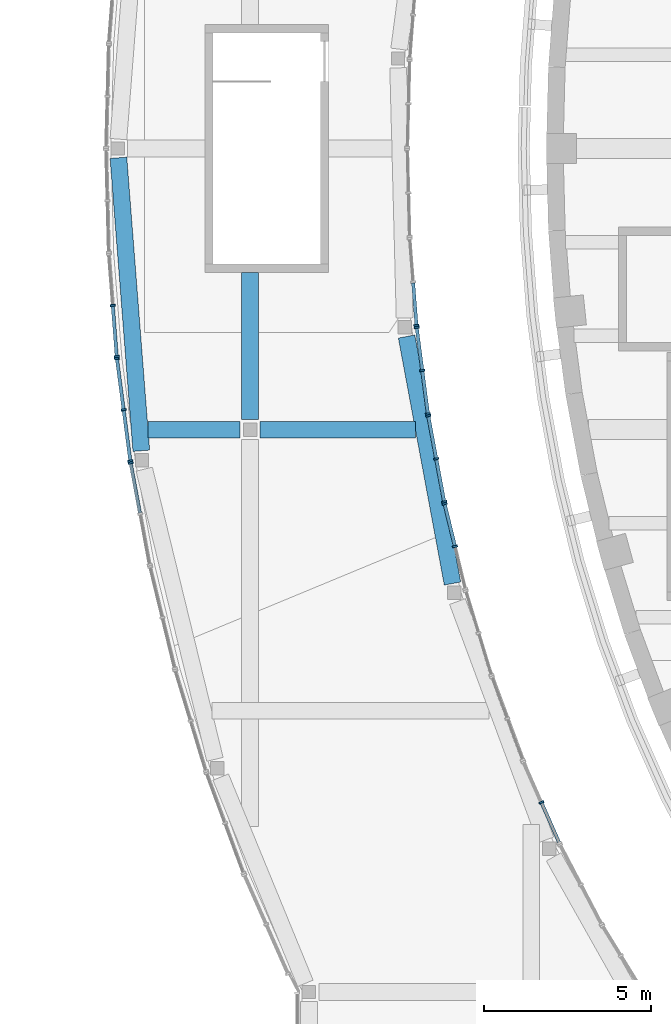
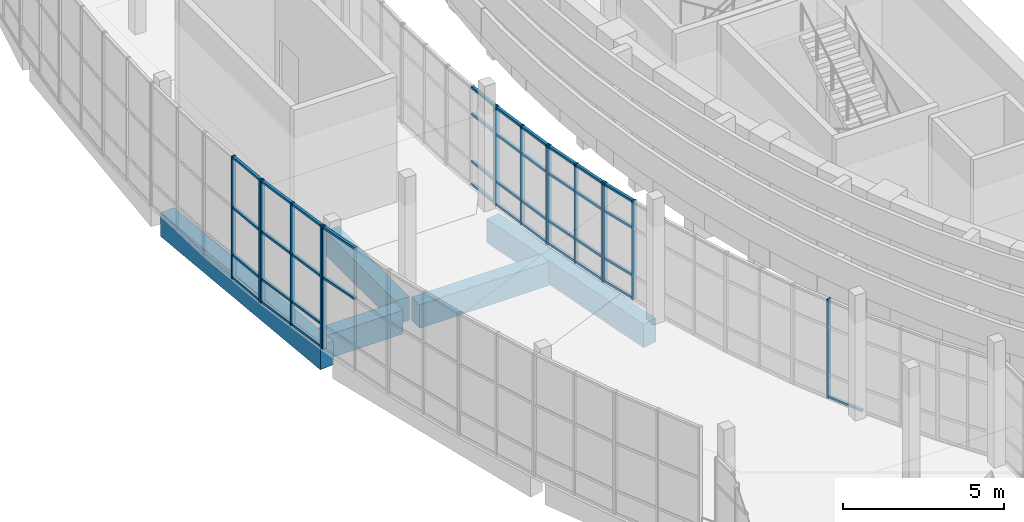
# One storey, part 11 of 103: 55 members, 5 beams, 8 elements without a shape of their own.
"""IFC4 building model written with IfcOpenShell, lengths in metres."""

import ifcopenshell
import ifcopenshell.guid

model = None  # the IFC model being written
_history = None  # IfcOwnerHistory: only IFC2X3 demands one
_inside = {}  # id of a spatial element -> (the spatial element, [elements in it])
_under = {}  # id of a project, library or spatial element -> (it, [spatial elements below it])
_declared = {}  # id of a project -> (the project, [libraries it declares])
_typed = {}  # id of a type object -> (the type object, [elements of that type])
_made_of = {}  # id of a material, layer set ... -> (it, [elements and type objects made of it])


def new_model(schema):
    """Start an empty IFC model of exactly this schema.

    Asked for "IFC4X3", IfcOpenShell would pick the latest addendum, in which some entities
    have other attributes; the version numbers below select the first issue.
    IFC2X3 requires an IfcOwnerHistory on every rooted entity: one is made here for all.
    """
    global model, _history
    if schema == "IFC4X3":
        model = ifcopenshell.file(schema_version=(4, 3, 0, 0))
    else:
        model = ifcopenshell.file(schema=schema)
    _inside.clear()
    _under.clear()
    _declared.clear()
    _typed.clear()
    _made_of.clear()
    _history = None
    if model.schema == "IFC2X3":
        org = make("IfcOrganization", Name="unknown")
        user = make(
            "IfcPersonAndOrganization",
            ThePerson=make("IfcPerson", FamilyName="unknown"),
            TheOrganization=org,
        )
        app = make(
            "IfcApplication",
            ApplicationDeveloper=org,
            Version="unknown",
            ApplicationFullName="unknown",
            ApplicationIdentifier="unknown",
        )
        _history = make(
            "IfcOwnerHistory",
            OwningUser=user,
            OwningApplication=app,
            ChangeAction="ADDED",
            CreationDate=0,
        )
    return model


def make(cls, **values):
    """One entity of the class cls with the attributes given. An attribute that is None is left unset."""
    return model.create_entity(
        cls, **{name: value for name, value in values.items() if value is not None}
    )


def rooted(cls, **values):
    """An entity with a GlobalId (a new one), such as an element, a storey or a relation."""
    return make(cls, GlobalId=ifcopenshell.guid.new(), OwnerHistory=_history, **values)


def si_unit(unit_type, name, prefix=None):
    """IfcSIUnit, for example si_unit("LENGTHUNIT", "METRE", prefix="MILLI")."""
    return make("IfcSIUnit", UnitType=unit_type, Prefix=prefix, Name=name)


def assignment(units):
    """IfcUnitAssignment: the units of a project."""
    return None if units is None else make("IfcUnitAssignment", Units=units)


def point(xyz):
    """IfcCartesianPoint."""
    return None if xyz is None else make("IfcCartesianPoint", Coordinates=xyz)


def direction(xyz):
    """IfcDirection."""
    return None if xyz is None else make("IfcDirection", DirectionRatios=xyz)


def frame(location, z_axis=None, x_axis=None):
    """IfcAxis2Placement3D, a coordinate frame: its origin and axes. An axis left out is left unset."""
    return make(
        "IfcAxis2Placement3D",
        Location=point(location),
        Axis=direction(z_axis),
        RefDirection=direction(x_axis),
    )


def frame_2d(location, x_axis=None):
    """IfcAxis2Placement2D, a coordinate frame in the plane: its origin and x axis."""
    return make(
        "IfcAxis2Placement2D", Location=point(location), RefDirection=direction(x_axis)
    )


def origin():
    """The frame at (0, 0, 0) with its axes left unset."""
    return frame((0.0, 0.0, 0.0))


def origin_2d():
    """The frame at (0, 0) in the plane with its x axis left unset."""
    return frame_2d((0.0, 0.0))


def place(relative_to, where):
    """IfcLocalPlacement: puts the frame where relative to a parent placement (None: the world)."""
    return make(
        "IfcLocalPlacement", PlacementRelTo=relative_to, RelativePlacement=where
    )


def context(
    kind, dimensions, precision=None, world=None, true_north=None, identifier=None
):
    """IfcGeometricRepresentationContext, for example the 3D "Model" context."""
    return make(
        "IfcGeometricRepresentationContext",
        ContextIdentifier=identifier,
        ContextType=kind,
        CoordinateSpaceDimension=dimensions,
        Precision=precision,
        WorldCoordinateSystem=world,
        TrueNorth=true_north,
    )


def subcontext(parent, identifier, kind, view, scale=None):
    """IfcGeometricRepresentationSubContext, for example "Body" below "Model"."""
    return make(
        "IfcGeometricRepresentationSubContext",
        ContextIdentifier=identifier,
        ContextType=kind,
        ParentContext=parent,
        TargetScale=scale,
        TargetView=view,
    )


def project(units=None, contexts=None):
    """IfcProject with its units and contexts."""
    return rooted(
        "IfcProject",
        Name="project",
        RepresentationContexts=contexts,
        UnitsInContext=assignment(units),
    )


def spatial(cls, under=None, at=None, **own):
    """A site, building, storey or space (cls), placed at a placement, below another one or the project."""
    s = rooted(cls, ObjectPlacement=at, **own)
    if under is not None:
        _under.setdefault(under.id(), (under, []))[1].append(s)
    return s


def profile(cls, at=None, kind="AREA", **sizes):
    """A parametric profile (cls). Its sizes go by their IFC names, for example OverallWidth=200.0."""
    return make(cls, ProfileType=kind, Position=at, **sizes)


def rectangle(**sizes):
    """IfcRectangleProfileDef."""
    return profile("IfcRectangleProfileDef", **sizes)


def extrude(swept, where, along, depth):
    """IfcExtrudedAreaSolid: the profile swept, set in the frame where, extruded along a direction by depth."""
    return make(
        "IfcExtrudedAreaSolid",
        SweptArea=swept,
        Position=where,
        ExtrudedDirection=direction(along),
        Depth=depth,
    )


def shape(context_of_items, identifier, shape_type, items):
    """IfcShapeRepresentation: the items that make up one representation, for example the "Body"."""
    return make(
        "IfcShapeRepresentation",
        ContextOfItems=context_of_items,
        RepresentationIdentifier=identifier,
        RepresentationType=shape_type,
        Items=items,
    )


def material(Name=None, Category=None):
    """IfcMaterial."""
    return make("IfcMaterial", Name=Name, Category=Category)


def layer(
    of_material, thickness, ventilated=None, Name=None, Category=None, Priority=None
):
    """IfcMaterialLayer: one layer of a wall or slab, of a material (None: an air gap)."""
    return make(
        "IfcMaterialLayer",
        Material=of_material,
        LayerThickness=thickness,
        IsVentilated=ventilated,
        Name=Name,
        Category=Category,
        Priority=Priority,
    )


def layer_set(layers, Name=None):
    """IfcMaterialLayerSet."""
    return make("IfcMaterialLayerSet", MaterialLayers=layers, LayerSetName=Name)


def material_profile(
    of_material, cross_section, Name=None, Category=None, Priority=None
):
    """IfcMaterialProfile: a cross section and its material."""
    return make(
        "IfcMaterialProfile",
        Name=Name,
        Material=of_material,
        Profile=cross_section,
        Priority=Priority,
        Category=Category,
    )


def profile_set(profiles, Name=None, composite=None):
    """IfcMaterialProfileSet."""
    return make(
        "IfcMaterialProfileSet",
        Name=Name,
        MaterialProfiles=profiles,
        CompositeProfile=composite,
    )


def made_of(thing, what):
    """Note that an element or type object is made of a material, layer set ...; save() writes the relation."""
    if what is not None:
        _made_of.setdefault(what.id(), (what, []))[1].append(thing)
    return thing


def type_object(cls, material=None, **own):
    """A type object (cls), such as IfcWallType, which elements share."""
    return made_of(rooted(cls, **own), material)


def element(
    cls,
    number,
    at=None,
    inside=None,
    cuts=None,
    type_object=None,
    material=None,
    context=None,
    identifier="Body",
    shape_type=None,
    held_by="IfcProductDefinitionShape",
    body=None,
    shapes=None,
    **own,
):
    """One element of the class cls, such as IfcWall. Its Tag is "e" and its number.

    at: its placement. inside: the storey or other place that contains it. cuts: it is an
    opening in that element (IfcRelVoidsElement). A single representation is given by context,
    identifier, shape_type and body (its items); several are given by shapes. held_by: the class
    of the entity that holds the representations. save() writes the other relations.
    """
    e = rooted(cls, Tag="e%d" % number, ObjectPlacement=at, **own)
    if body is not None:
        shapes = [shape(context, identifier, shape_type, body)]
    if shapes is not None:
        e.Representation = make(held_by, Representations=shapes)
    if inside is not None:
        _inside.setdefault(inside.id(), (inside, []))[1].append(e)
    if cuts is not None:
        rooted(
            "IfcRelVoidsElement", RelatingBuildingElement=cuts, RelatedOpeningElement=e
        )
    if type_object is not None:
        _typed.setdefault(type_object.id(), (type_object, []))[1].append(e)
    return made_of(e, material)


def aggregate(whole, parts):
    """IfcRelAggregates: a whole, such as a stair, and the parts it consists of."""
    return rooted("IfcRelAggregates", RelatingObject=whole, RelatedObjects=parts)


def save(model, path):
    """Write the relations noted so far, then the file.

    IfcRelAggregates (storeys below a building ...), IfcRelContainedInSpatialStructure (elements
    in a storey), IfcRelDefinesByType, IfcRelAssociatesMaterial and IfcRelDeclares: one each for
    every whole, place, type object, material and project.
    """
    for whole, parts in _under.values():
        aggregate(whole, parts)
    for where, things in _inside.values():
        rooted(
            "IfcRelContainedInSpatialStructure",
            RelatedElements=things,
            RelatingStructure=where,
        )
    for kind, things in _typed.values():
        rooted("IfcRelDefinesByType", RelatedObjects=things, RelatingType=kind)
    for what, things in _made_of.values():
        rooted("IfcRelAssociatesMaterial", RelatedObjects=things, RelatingMaterial=what)
    for by, libraries in _declared.values():
        rooted("IfcRelDeclares", RelatingContext=by, RelatedDefinitions=libraries)
    model.write(path)


model = new_model("IFC4")

# Units and contexts
model_context = context("Model", 3, precision=1e-05, world=origin(), true_north=direction((0.0, 1.0)))
body_context = subcontext(model_context, "Body", "Model", "MODEL_VIEW")
ifc_project = project(units=[si_unit("LENGTHUNIT", "METRE"), si_unit("AREAUNIT", "SQUARE_METRE"), si_unit("VOLUMEUNIT", "CUBIC_METRE"), si_unit("PLANEANGLEUNIT", "RADIAN"), si_unit("MASSUNIT", "GRAM", prefix="KILO")], contexts=[model_context])

# Site, building, storey
site_placement = place(None, origin())
site = spatial("IfcSite", under=ifc_project, at=site_placement, CompositionType="ELEMENT")
building_placement = place(site_placement, origin())
building = spatial("IfcBuilding", under=site, at=building_placement, Name="Larchfold Concert Hall", CompositionType="ELEMENT")
storey_placement = place(building_placement, frame((0.0, 0.0, 9.60009765625)))
storey = spatial("IfcBuildingStorey", under=building, at=storey_placement, Name="L02", CompositionType="ELEMENT", Elevation=9.60009765625)

# Curtain wall, member
ifc_material_1 = material(Name="Anodised graphite aluminium curtain wall", Category="aluminium")
ifc_layer = layer(ifc_material_1, 0.14990234375)
ifc_layer_set = layer_set([ifc_layer], Name="Anodised graphite aluminium curtain wall")
curtain_wall_type = type_object("IfcCurtainWallType", Name="Curtain wall WG", PredefinedType="NOTDEFINED", material=ifc_layer_set)
curtain_wall_1_placement = place(storey_placement, origin())
curtain_wall_1 = element("IfcCurtainWall", 1, at=curtain_wall_1_placement, inside=storey, type_object=curtain_wall_type, Name="Curtain wall CW0216", PredefinedType="NOTDEFINED")
ifc_material_2 = material(Name="Anodised graphite aluminium mullion", Category="aluminium")
ifc_material_profile_1 = material_profile(ifc_material_2, rectangle(XDim=0.14990234375, YDim=0.06005859375, at=origin_2d()))
ifc_profile_set_1 = profile_set([ifc_material_profile_1], Name="Anodised graphite aluminium mullion")
member_type_1 = type_object("IfcMemberType", Name="Aluminium mullion 60x150", PredefinedType="MULLION", material=ifc_profile_set_1)
member_1_placement = place(storey_placement, frame((17.70458984375, 65.0625, 0.0), z_axis=(0.0, 0.0, 1.0), x_axis=(-0.914743817973, -0.404034339481, 0.0)))
member_1 = element("IfcMember", 2, at=member_1_placement, type_object=member_type_1, Name="CW0216 mullion 2", PredefinedType="MULLION", context=body_context, shape_type="SweptSolid", body=[
    extrude(rectangle(XDim=0.14990234375, YDim=0.06005859375, at=origin_2d()), origin(), (0.0, 0.0, 1.0), 3.75),
])

# Curtain wall, members
curtain_wall_2_placement = place(storey_placement, origin())
curtain_wall_2 = element("IfcCurtainWall", 3, at=curtain_wall_2_placement, inside=storey, type_object=curtain_wall_type, Name="Curtain wall CW0219", PredefinedType="NOTDEFINED")
member_2_placement = place(storey_placement, frame((15.123046875, 72.71142578125, 0.0), z_axis=(0.0, 0.0, 1.0), x_axis=(-0.97177101692, -0.235926027973, 0.0)))
member_2 = element("IfcMember", 4, at=member_2_placement, type_object=member_type_1, Name="CW0219 mullion 2", PredefinedType="MULLION", context=body_context, shape_type="SweptSolid", body=[
    extrude(rectangle(XDim=0.14990234375, YDim=0.06005859375, at=origin_2d()), origin(), (0.0, 0.0, 1.0), 3.75),
])
member_3_placement = place(storey_placement, frame((14.81396484375, 73.984130859375, 0.0), z_axis=(0.0, 0.0, 1.0), x_axis=(-0.97177101692, -0.235926027973, 0.0)))
member_3 = element("IfcMember", 5, at=member_3_placement, type_object=member_type_1, Name="CW0219 mullion 3", PredefinedType="MULLION", context=body_context, shape_type="SweptSolid", body=[
    extrude(rectangle(XDim=0.14990234375, YDim=0.06005859375, at=origin_2d()), origin(), (0.0, 0.0, 1.0), 3.75),
])

curtain_wall_3_placement = place(storey_placement, origin())
curtain_wall_3 = element("IfcCurtainWall", 6, at=curtain_wall_3_placement, inside=storey, type_object=curtain_wall_type, Name="Curtain wall CW0220", PredefinedType="NOTDEFINED")
member_4_placement = place(storey_placement, frame((14.801513671875, 74.042724609375, 0.0), z_axis=(0.0, 0.0, 1.0), x_axis=(-0.983226211079, -0.182390289896, 0.0)))
member_4 = element("IfcMember", 7, at=member_4_placement, type_object=member_type_1, Name="CW0220 mullion 1", PredefinedType="MULLION", context=body_context, shape_type="SweptSolid", body=[
    extrude(rectangle(XDim=0.14990234375, YDim=0.06005859375, at=origin_2d()), origin(), (0.0, 0.0, 1.0), 3.75),
])
member_5_placement = place(storey_placement, frame((14.563232421875, 75.32666015625, 0.0), z_axis=(0.0, 0.0, 1.0), x_axis=(-0.983226211079, -0.182390289896, 0.0)))
member_5 = element("IfcMember", 8, at=member_5_placement, type_object=member_type_1, Name="CW0220 mullion 2", PredefinedType="MULLION", context=body_context, shape_type="SweptSolid", body=[
    extrude(rectangle(XDim=0.14990234375, YDim=0.06005859375, at=origin_2d()), origin(), (0.0, 0.0, 1.0), 3.75),
])
member_6_placement = place(storey_placement, frame((14.324951171875, 76.610595703125, 0.0), z_axis=(0.0, 0.0, 1.0), x_axis=(-0.983226211079, -0.182390289896, 0.0)))
member_6 = element("IfcMember", 9, at=member_6_placement, type_object=member_type_1, Name="CW0220 mullion 3", PredefinedType="MULLION", context=body_context, shape_type="SweptSolid", body=[
    extrude(rectangle(XDim=0.14990234375, YDim=0.06005859375, at=origin_2d()), origin(), (0.0, 0.0, 1.0), 3.75),
])

curtain_wall_4_placement = place(storey_placement, origin())
curtain_wall_4 = element("IfcCurtainWall", 10, at=curtain_wall_4_placement, inside=storey, type_object=curtain_wall_type, Name="Curtain wall CW0221", PredefinedType="NOTDEFINED")
member_7_placement = place(storey_placement, frame((14.315673828125, 76.669921875, 0.0), z_axis=(0.0, 0.0, 1.0), x_axis=(-0.991560542069, -0.129644480836, 0.0)))
member_7 = element("IfcMember", 11, at=member_7_placement, type_object=member_type_1, Name="CW0221 mullion 1", PredefinedType="MULLION", context=body_context, shape_type="SweptSolid", body=[
    extrude(rectangle(XDim=0.14990234375, YDim=0.06005859375, at=origin_2d()), origin(), (0.0, 0.0, 1.0), 3.75),
])
member_8_placement = place(storey_placement, frame((14.146728515625, 77.962158203125, 0.0), z_axis=(0.0, 0.0, 1.0), x_axis=(-0.991560542069, -0.129644480836, 0.0)))
member_8 = element("IfcMember", 12, at=member_8_placement, type_object=member_type_1, Name="CW0221 mullion 2", PredefinedType="MULLION", context=body_context, shape_type="SweptSolid", body=[
    extrude(rectangle(XDim=0.14990234375, YDim=0.06005859375, at=origin_2d()), origin(), (0.0, 0.0, 1.0), 3.75),
])
member_9_placement = place(storey_placement, frame((13.977783203125, 79.25439453125, 0.0), z_axis=(0.0, 0.0, 1.0), x_axis=(-0.991560542069, -0.129644480836, 0.0)))
member_9 = element("IfcMember", 13, at=member_9_placement, type_object=member_type_1, Name="CW0221 mullion 3", PredefinedType="MULLION", context=body_context, shape_type="SweptSolid", body=[
    extrude(rectangle(XDim=0.14990234375, YDim=0.06005859375, at=origin_2d()), origin(), (0.0, 0.0, 1.0), 3.75),
])

# Curtain wall, member
curtain_wall_5_placement = place(storey_placement, origin())
curtain_wall_5 = element("IfcCurtainWall", 14, at=curtain_wall_5_placement, inside=storey, type_object=curtain_wall_type, Name="Curtain wall CW0222", PredefinedType="NOTDEFINED")
member_10_placement = place(storey_placement, frame((13.971435546875, 79.314208984375, 0.0), z_axis=(0.0, 0.0, 1.0), x_axis=(-0.996988332974, -0.07755168544, 0.0)))
member_10 = element("IfcMember", 15, at=member_10_placement, type_object=member_type_1, Name="CW0222 mullion 1", PredefinedType="MULLION", context=body_context, shape_type="SweptSolid", body=[
    extrude(rectangle(XDim=0.14990234375, YDim=0.06005859375, at=origin_2d()), origin(), (0.0, 0.0, 1.0), 3.75),
])

# Curtain wall, members
curtain_wall_6_placement = place(storey_placement, origin())
curtain_wall_6 = element("IfcCurtainWall", 16, at=curtain_wall_6_placement, inside=storey, type_object=curtain_wall_type, Name="Curtain wall CW0275", PredefinedType="NOTDEFINED")
member_11_placement = place(storey_placement, frame((4.897705078125, 79.912841796875, 0.0), z_axis=(0.0, 0.0, 1.0), x_axis=(0.996995051833, 0.077465260739, 0.0)))
member_11 = element("IfcMember", 17, at=member_11_placement, type_object=member_type_1, Name="CW0275 mullion 2", PredefinedType="MULLION", context=body_context, shape_type="SweptSolid", body=[
    extrude(rectangle(XDim=0.14990234375, YDim=0.06005859375, at=origin_2d()), origin(), (0.0, 0.0, 1.0), 4.64990234375),
])
member_12_placement = place(storey_placement, frame((5.0166015625, 78.381103515625, 0.0), z_axis=(0.0, 0.0, 1.0), x_axis=(0.996995051833, 0.077465260739, 0.0)))
member_12 = element("IfcMember", 18, at=member_12_placement, type_object=member_type_1, Name="CW0275 mullion 3", PredefinedType="MULLION", context=body_context, shape_type="SweptSolid", body=[
    extrude(rectangle(XDim=0.14990234375, YDim=0.06005859375, at=origin_2d()), origin(), (0.0, 0.0, 1.0), 4.64990234375),
])

curtain_wall_7_placement = place(storey_placement, origin())
curtain_wall_7 = element("IfcCurtainWall", 19, at=curtain_wall_7_placement, inside=storey, type_object=curtain_wall_type, Name="Curtain wall CW0276", PredefinedType="NOTDEFINED")
member_13_placement = place(storey_placement, frame((5.02294921875, 78.3212890625, 0.0), z_axis=(0.0, 0.0, 1.0), x_axis=(0.991549218771, 0.129731055474, 0.0)))
member_13 = element("IfcMember", 20, at=member_13_placement, type_object=member_type_1, Name="CW0276 mullion 1", PredefinedType="MULLION", context=body_context, shape_type="SweptSolid", body=[
    extrude(rectangle(XDim=0.14990234375, YDim=0.06005859375, at=origin_2d()), origin(), (0.0, 0.0, 1.0), 4.64990234375),
])
member_14_placement = place(storey_placement, frame((5.222900390625, 76.79296875, 0.0), z_axis=(0.0, 0.0, 1.0), x_axis=(0.991549218771, 0.129731055474, 0.0)))
member_14 = element("IfcMember", 21, at=member_14_placement, type_object=member_type_1, Name="CW0276 mullion 2", PredefinedType="MULLION", context=body_context, shape_type="SweptSolid", body=[
    extrude(rectangle(XDim=0.14990234375, YDim=0.06005859375, at=origin_2d()), origin(), (0.0, 0.0, 1.0), 4.64990234375),
])
member_15_placement = place(storey_placement, frame((5.4228515625, 75.2646484375, 0.0), z_axis=(0.0, 0.0, 1.0), x_axis=(0.991549218771, 0.129731055474, 0.0)))
member_15 = element("IfcMember", 22, at=member_15_placement, type_object=member_type_1, Name="CW0276 mullion 3", PredefinedType="MULLION", context=body_context, shape_type="SweptSolid", body=[
    extrude(rectangle(XDim=0.14990234375, YDim=0.06005859375, at=origin_2d()), origin(), (0.0, 0.0, 1.0), 4.64990234375),
])

# Curtain wall, member
curtain_wall_8_placement = place(storey_placement, origin())
curtain_wall_8 = element("IfcCurtainWall", 23, at=curtain_wall_8_placement, inside=storey, type_object=curtain_wall_type, Name="Curtain wall CW0277", PredefinedType="NOTDEFINED")
member_16_placement = place(storey_placement, frame((5.43212890625, 75.205322265625, 0.0), z_axis=(0.0, 0.0, 1.0), x_axis=(0.983234300554, 0.182346675908, 0.0)))
member_16 = element("IfcMember", 24, at=member_16_placement, type_object=member_type_1, Name="CW0277 mullion 1", PredefinedType="MULLION", context=body_context, shape_type="SweptSolid", body=[
    extrude(rectangle(XDim=0.14990234375, YDim=0.06005859375, at=origin_2d()), origin(), (0.0, 0.0, 1.0), 4.64990234375),
])

# Member
ifc_material_3 = material(Name="Anodised graphite aluminium transom", Category="aluminium")
ifc_material_profile_2 = material_profile(ifc_material_3, rectangle(XDim=0.10009765625, YDim=0.080078125, at=origin_2d()))
ifc_profile_set_2 = profile_set([ifc_material_profile_2], Name="Anodised graphite aluminium transom")
member_type_2 = type_object("IfcMemberType", Name="Aluminium transom 80x100", PredefinedType="USERDEFINED", material=ifc_profile_set_2)
member_17_placement = place(storey_placement, frame((18.228759765625, 63.8759765625, 0.0400390625), z_axis=(-0.404010149688, 0.914754502011, 0.0), x_axis=(-0.914754502011, -0.404010149688, 0.0)))
member_17 = element("IfcMember", 25, at=member_17_placement, type_object=member_type_2, Name="CW0216 transom 1.1", ObjectType="TRANSOM", PredefinedType="USERDEFINED", context=body_context, shape_type="SweptSolid", body=[
    extrude(rectangle(XDim=0.10009765625, YDim=0.080078125, at=origin_2d()), origin(), (0.0, 0.0, 1.0), 1.26708984375),
])

aggregate(curtain_wall_1, [member_1, member_17])

member_18_placement = place(storey_placement, frame((15.115966796875, 72.740478515625, 0.0400390625), z_axis=(-0.236002599112, 0.971752423826, 0.0), x_axis=(-0.971752423826, -0.236002599112, 0.0)))
member_18 = element("IfcMember", 26, at=member_18_placement, type_object=member_type_2, Name="CW0219 transom 2.1", ObjectType="TRANSOM", PredefinedType="USERDEFINED", context=body_context, shape_type="SweptSolid", body=[
    extrude(rectangle(XDim=0.10009765625, YDim=0.080078125, at=origin_2d()), origin(), (0.0, 0.0, 1.0), 1.249755859375),
])

member_19_placement = place(storey_placement, frame((15.115966796875, 72.740478515625, 0.89990234375), z_axis=(-0.236002599112, 0.971752423826, 0.0), x_axis=(-0.971752423826, -0.236002599112, 0.0)))
member_19 = element("IfcMember", 27, at=member_19_placement, type_object=member_type_2, Name="CW0219 transom 2.2", ObjectType="TRANSOM", PredefinedType="USERDEFINED", context=body_context, shape_type="SweptSolid", body=[
    extrude(rectangle(XDim=0.10009765625, YDim=0.080078125, at=origin_2d()), origin(), (0.0, 0.0, 1.0), 1.249755859375),
])

member_20_placement = place(storey_placement, frame((15.115966796875, 72.740478515625, 2.699951171875), z_axis=(-0.236002599112, 0.971752423826, 0.0), x_axis=(-0.971752423826, -0.236002599112, 0.0)))
member_20 = element("IfcMember", 28, at=member_20_placement, type_object=member_type_2, Name="CW0219 transom 2.3", ObjectType="TRANSOM", PredefinedType="USERDEFINED", context=body_context, shape_type="SweptSolid", body=[
    extrude(rectangle(XDim=0.10009765625, YDim=0.080078125, at=origin_2d()), origin(), (0.0, 0.0, 1.0), 1.249755859375),
])

member_21_placement = place(storey_placement, frame((15.115966796875, 72.740478515625, 3.7099609375), z_axis=(-0.236002599112, 0.971752423826, 0.0), x_axis=(-0.971752423826, -0.236002599112, 0.0)))
member_21 = element("IfcMember", 29, at=member_21_placement, type_object=member_type_2, Name="CW0219 transom 2.4", ObjectType="TRANSOM", PredefinedType="USERDEFINED", context=body_context, shape_type="SweptSolid", body=[
    extrude(rectangle(XDim=0.10009765625, YDim=0.080078125, at=origin_2d()), origin(), (0.0, 0.0, 1.0), 1.249755859375),
])

aggregate(curtain_wall_2, [member_2, member_3, member_18, member_19, member_20, member_21])

member_22_placement = place(storey_placement, frame((14.7958984375, 74.072265625, 0.0400390625), z_axis=(-0.182454169497, 0.983214359147, 0.0), x_axis=(-0.983214359147, -0.182454169497, 0.0)))
member_22 = element("IfcMember", 30, at=member_22_placement, type_object=member_type_2, Name="CW0220 transom 1.1", ObjectType="TRANSOM", PredefinedType="USERDEFINED", context=body_context, shape_type="SweptSolid", body=[
    extrude(rectangle(XDim=0.10009765625, YDim=0.080078125, at=origin_2d()), origin(), (0.0, 0.0, 1.0), 1.245849609375),
])

member_23_placement = place(storey_placement, frame((14.7958984375, 74.072265625, 0.89990234375), z_axis=(-0.182454169497, 0.983214359147, 0.0), x_axis=(-0.983214359147, -0.182454169497, 0.0)))
member_23 = element("IfcMember", 31, at=member_23_placement, type_object=member_type_2, Name="CW0220 transom 1.2", ObjectType="TRANSOM", PredefinedType="USERDEFINED", context=body_context, shape_type="SweptSolid", body=[
    extrude(rectangle(XDim=0.10009765625, YDim=0.080078125, at=origin_2d()), origin(), (0.0, 0.0, 1.0), 1.245849609375),
])

member_24_placement = place(storey_placement, frame((14.7958984375, 74.072265625, 2.699951171875), z_axis=(-0.182454169497, 0.983214359147, 0.0), x_axis=(-0.983214359147, -0.182454169497, 0.0)))
member_24 = element("IfcMember", 32, at=member_24_placement, type_object=member_type_2, Name="CW0220 transom 1.3", ObjectType="TRANSOM", PredefinedType="USERDEFINED", context=body_context, shape_type="SweptSolid", body=[
    extrude(rectangle(XDim=0.10009765625, YDim=0.080078125, at=origin_2d()), origin(), (0.0, 0.0, 1.0), 1.245849609375),
])

member_25_placement = place(storey_placement, frame((14.7958984375, 74.072265625, 3.7099609375), z_axis=(-0.182454169497, 0.983214359147, 0.0), x_axis=(-0.983214359147, -0.182454169497, 0.0)))
member_25 = element("IfcMember", 33, at=member_25_placement, type_object=member_type_2, Name="CW0220 transom 1.4", ObjectType="TRANSOM", PredefinedType="USERDEFINED", context=body_context, shape_type="SweptSolid", body=[
    extrude(rectangle(XDim=0.10009765625, YDim=0.080078125, at=origin_2d()), origin(), (0.0, 0.0, 1.0), 1.245849609375),
])

member_26_placement = place(storey_placement, frame((14.557861328125, 75.356201171875, 0.0400390625), z_axis=(-0.182454169497, 0.983214359147, 0.0), x_axis=(-0.983214359147, -0.182454169497, 0.0)))
member_26 = element("IfcMember", 34, at=member_26_placement, type_object=member_type_2, Name="CW0220 transom 2.1", ObjectType="TRANSOM", PredefinedType="USERDEFINED", context=body_context, shape_type="SweptSolid", body=[
    extrude(rectangle(XDim=0.10009765625, YDim=0.080078125, at=origin_2d()), origin(), (0.0, 0.0, 1.0), 1.245849609375),
])

member_27_placement = place(storey_placement, frame((14.557861328125, 75.356201171875, 0.89990234375), z_axis=(-0.182454169497, 0.983214359147, 0.0), x_axis=(-0.983214359147, -0.182454169497, 0.0)))
member_27 = element("IfcMember", 35, at=member_27_placement, type_object=member_type_2, Name="CW0220 transom 2.2", ObjectType="TRANSOM", PredefinedType="USERDEFINED", context=body_context, shape_type="SweptSolid", body=[
    extrude(rectangle(XDim=0.10009765625, YDim=0.080078125, at=origin_2d()), origin(), (0.0, 0.0, 1.0), 1.245849609375),
])

member_28_placement = place(storey_placement, frame((14.557861328125, 75.356201171875, 2.699951171875), z_axis=(-0.182454169497, 0.983214359147, 0.0), x_axis=(-0.983214359147, -0.182454169497, 0.0)))
member_28 = element("IfcMember", 36, at=member_28_placement, type_object=member_type_2, Name="CW0220 transom 2.3", ObjectType="TRANSOM", PredefinedType="USERDEFINED", context=body_context, shape_type="SweptSolid", body=[
    extrude(rectangle(XDim=0.10009765625, YDim=0.080078125, at=origin_2d()), origin(), (0.0, 0.0, 1.0), 1.245849609375),
])

member_29_placement = place(storey_placement, frame((14.557861328125, 75.356201171875, 3.7099609375), z_axis=(-0.182454169497, 0.983214359147, 0.0), x_axis=(-0.983214359147, -0.182454169497, 0.0)))
member_29 = element("IfcMember", 37, at=member_29_placement, type_object=member_type_2, Name="CW0220 transom 2.4", ObjectType="TRANSOM", PredefinedType="USERDEFINED", context=body_context, shape_type="SweptSolid", body=[
    extrude(rectangle(XDim=0.10009765625, YDim=0.080078125, at=origin_2d()), origin(), (0.0, 0.0, 1.0), 1.245849609375),
])

aggregate(curtain_wall_3, [member_4, member_5, member_6, member_22, member_23, member_24, member_25, member_26, member_27, member_28, member_29])

member_30_placement = place(storey_placement, frame((14.311767578125, 76.69970703125, 0.0400390625), z_axis=(-0.129616239755, 0.991564234123, 0.0), x_axis=(-0.991564234123, -0.129616239755, 0.0)))
member_30 = element("IfcMember", 38, at=member_30_placement, type_object=member_type_2, Name="CW0221 transom 1.1", ObjectType="TRANSOM", PredefinedType="USERDEFINED", context=body_context, shape_type="SweptSolid", body=[
    extrude(rectangle(XDim=0.10009765625, YDim=0.080078125, at=origin_2d()), origin(), (0.0, 0.0, 1.0), 1.2431640625),
])

member_31_placement = place(storey_placement, frame((14.311767578125, 76.69970703125, 0.89990234375), z_axis=(-0.129616239755, 0.991564234123, 0.0), x_axis=(-0.991564234123, -0.129616239755, 0.0)))
member_31 = element("IfcMember", 39, at=member_31_placement, type_object=member_type_2, Name="CW0221 transom 1.2", ObjectType="TRANSOM", PredefinedType="USERDEFINED", context=body_context, shape_type="SweptSolid", body=[
    extrude(rectangle(XDim=0.10009765625, YDim=0.080078125, at=origin_2d()), origin(), (0.0, 0.0, 1.0), 1.2431640625),
])

member_32_placement = place(storey_placement, frame((14.311767578125, 76.69970703125, 2.699951171875), z_axis=(-0.129616239755, 0.991564234123, 0.0), x_axis=(-0.991564234123, -0.129616239755, 0.0)))
member_32 = element("IfcMember", 40, at=member_32_placement, type_object=member_type_2, Name="CW0221 transom 1.3", ObjectType="TRANSOM", PredefinedType="USERDEFINED", context=body_context, shape_type="SweptSolid", body=[
    extrude(rectangle(XDim=0.10009765625, YDim=0.080078125, at=origin_2d()), origin(), (0.0, 0.0, 1.0), 1.2431640625),
])

member_33_placement = place(storey_placement, frame((14.311767578125, 76.69970703125, 3.7099609375), z_axis=(-0.129616239755, 0.991564234123, 0.0), x_axis=(-0.991564234123, -0.129616239755, 0.0)))
member_33 = element("IfcMember", 41, at=member_33_placement, type_object=member_type_2, Name="CW0221 transom 1.4", ObjectType="TRANSOM", PredefinedType="USERDEFINED", context=body_context, shape_type="SweptSolid", body=[
    extrude(rectangle(XDim=0.10009765625, YDim=0.080078125, at=origin_2d()), origin(), (0.0, 0.0, 1.0), 1.2431640625),
])

member_34_placement = place(storey_placement, frame((14.142822265625, 77.991943359375, 0.0400390625), z_axis=(-0.129616239755, 0.991564234123, 0.0), x_axis=(-0.991564234123, -0.129616239755, 0.0)))
member_34 = element("IfcMember", 42, at=member_34_placement, type_object=member_type_2, Name="CW0221 transom 2.1", ObjectType="TRANSOM", PredefinedType="USERDEFINED", context=body_context, shape_type="SweptSolid", body=[
    extrude(rectangle(XDim=0.10009765625, YDim=0.080078125, at=origin_2d()), origin(), (0.0, 0.0, 1.0), 1.2431640625),
])

member_35_placement = place(storey_placement, frame((14.142822265625, 77.991943359375, 0.89990234375), z_axis=(-0.129616239755, 0.991564234123, 0.0), x_axis=(-0.991564234123, -0.129616239755, 0.0)))
member_35 = element("IfcMember", 43, at=member_35_placement, type_object=member_type_2, Name="CW0221 transom 2.2", ObjectType="TRANSOM", PredefinedType="USERDEFINED", context=body_context, shape_type="SweptSolid", body=[
    extrude(rectangle(XDim=0.10009765625, YDim=0.080078125, at=origin_2d()), origin(), (0.0, 0.0, 1.0), 1.2431640625),
])

member_36_placement = place(storey_placement, frame((14.142822265625, 77.991943359375, 2.699951171875), z_axis=(-0.129616239755, 0.991564234123, 0.0), x_axis=(-0.991564234123, -0.129616239755, 0.0)))
member_36 = element("IfcMember", 44, at=member_36_placement, type_object=member_type_2, Name="CW0221 transom 2.3", ObjectType="TRANSOM", PredefinedType="USERDEFINED", context=body_context, shape_type="SweptSolid", body=[
    extrude(rectangle(XDim=0.10009765625, YDim=0.080078125, at=origin_2d()), origin(), (0.0, 0.0, 1.0), 1.2431640625),
])

member_37_placement = place(storey_placement, frame((14.142822265625, 77.991943359375, 3.7099609375), z_axis=(-0.129616239755, 0.991564234123, 0.0), x_axis=(-0.991564234123, -0.129616239755, 0.0)))
member_37 = element("IfcMember", 45, at=member_37_placement, type_object=member_type_2, Name="CW0221 transom 2.4", ObjectType="TRANSOM", PredefinedType="USERDEFINED", context=body_context, shape_type="SweptSolid", body=[
    extrude(rectangle(XDim=0.10009765625, YDim=0.080078125, at=origin_2d()), origin(), (0.0, 0.0, 1.0), 1.2431640625),
])

aggregate(curtain_wall_4, [member_7, member_8, member_9, member_30, member_31, member_32, member_33, member_34, member_35, member_36, member_37])

member_38_placement = place(storey_placement, frame((13.96923828125, 79.343994140625, 0.0400390625), z_axis=(-0.077478431398, 0.996994028401, 0.0), x_axis=(-0.996994028401, -0.077478431398, 0.0)))
member_38 = element("IfcMember", 46, at=member_38_placement, type_object=member_type_2, Name="CW0222 transom 1.1", ObjectType="TRANSOM", PredefinedType="USERDEFINED", context=body_context, shape_type="SweptSolid", body=[
    extrude(rectangle(XDim=0.10009765625, YDim=0.080078125, at=origin_2d()), origin(), (0.0, 0.0, 1.0), 1.241455078125),
])

member_39_placement = place(storey_placement, frame((13.96923828125, 79.343994140625, 0.89990234375), z_axis=(-0.077478431398, 0.996994028401, 0.0), x_axis=(-0.996994028401, -0.077478431398, 0.0)))
member_39 = element("IfcMember", 47, at=member_39_placement, type_object=member_type_2, Name="CW0222 transom 1.2", ObjectType="TRANSOM", PredefinedType="USERDEFINED", context=body_context, shape_type="SweptSolid", body=[
    extrude(rectangle(XDim=0.10009765625, YDim=0.080078125, at=origin_2d()), origin(), (0.0, 0.0, 1.0), 1.241455078125),
])

member_40_placement = place(storey_placement, frame((13.96923828125, 79.343994140625, 2.699951171875), z_axis=(-0.077478431398, 0.996994028401, 0.0), x_axis=(-0.996994028401, -0.077478431398, 0.0)))
member_40 = element("IfcMember", 48, at=member_40_placement, type_object=member_type_2, Name="CW0222 transom 1.3", ObjectType="TRANSOM", PredefinedType="USERDEFINED", context=body_context, shape_type="SweptSolid", body=[
    extrude(rectangle(XDim=0.10009765625, YDim=0.080078125, at=origin_2d()), origin(), (0.0, 0.0, 1.0), 1.241455078125),
])

member_41_placement = place(storey_placement, frame((13.96923828125, 79.343994140625, 3.7099609375), z_axis=(-0.077478431398, 0.996994028401, 0.0), x_axis=(-0.996994028401, -0.077478431398, 0.0)))
member_41 = element("IfcMember", 49, at=member_41_placement, type_object=member_type_2, Name="CW0222 transom 1.4", ObjectType="TRANSOM", PredefinedType="USERDEFINED", context=body_context, shape_type="SweptSolid", body=[
    extrude(rectangle(XDim=0.10009765625, YDim=0.080078125, at=origin_2d()), origin(), (0.0, 0.0, 1.0), 1.241455078125),
])

aggregate(curtain_wall_5, [member_10, member_38, member_39, member_40, member_41])

member_42_placement = place(storey_placement, frame((4.900146484375, 79.8828125, 0.0400390625), z_axis=(0.077391996533, -0.997000741661, 0.0), x_axis=(0.997000741661, 0.077391996533, 0.0)))
member_42 = element("IfcMember", 50, at=member_42_placement, type_object=member_type_2, Name="CW0275 transom 2.1", ObjectType="TRANSOM", PredefinedType="USERDEFINED", context=body_context, shape_type="SweptSolid", body=[
    extrude(rectangle(XDim=0.10009765625, YDim=0.080078125, at=origin_2d()), origin(), (0.0, 0.0, 1.0), 1.476318359375),
])

member_43_placement = place(storey_placement, frame((4.900146484375, 79.8828125, 0.89990234375), z_axis=(0.077391996533, -0.997000741661, 0.0), x_axis=(0.997000741661, 0.077391996533, 0.0)))
member_43 = element("IfcMember", 51, at=member_43_placement, type_object=member_type_2, Name="CW0275 transom 2.2", ObjectType="TRANSOM", PredefinedType="USERDEFINED", context=body_context, shape_type="SweptSolid", body=[
    extrude(rectangle(XDim=0.10009765625, YDim=0.080078125, at=origin_2d()), origin(), (0.0, 0.0, 1.0), 1.476318359375),
])

member_44_placement = place(storey_placement, frame((4.900146484375, 79.8828125, 2.699951171875), z_axis=(0.077391996533, -0.997000741661, 0.0), x_axis=(0.997000741661, 0.077391996533, 0.0)))
member_44 = element("IfcMember", 52, at=member_44_placement, type_object=member_type_2, Name="CW0275 transom 2.3", ObjectType="TRANSOM", PredefinedType="USERDEFINED", context=body_context, shape_type="SweptSolid", body=[
    extrude(rectangle(XDim=0.10009765625, YDim=0.080078125, at=origin_2d()), origin(), (0.0, 0.0, 1.0), 1.476318359375),
])

member_45_placement = place(storey_placement, frame((4.900146484375, 79.8828125, 4.60986328125), z_axis=(0.077391996533, -0.997000741661, 0.0), x_axis=(0.997000741661, 0.077391996533, 0.0)))
member_45 = element("IfcMember", 53, at=member_45_placement, type_object=member_type_2, Name="CW0275 transom 2.4", ObjectType="TRANSOM", PredefinedType="USERDEFINED", context=body_context, shape_type="SweptSolid", body=[
    extrude(rectangle(XDim=0.10009765625, YDim=0.080078125, at=origin_2d()), origin(), (0.0, 0.0, 1.0), 1.476318359375),
])

aggregate(curtain_wall_6, [member_11, member_12, member_42, member_43, member_44, member_45])

member_46_placement = place(storey_placement, frame((5.02685546875, 78.29150390625, 0.0400390625), z_axis=(0.129712621861, -0.99155163039, 0.0), x_axis=(0.99155163039, 0.129712621861, 0.0)))
member_46 = element("IfcMember", 54, at=member_46_placement, type_object=member_type_2, Name="CW0276 transom 1.1", ObjectType="TRANSOM", PredefinedType="USERDEFINED", context=body_context, shape_type="SweptSolid", body=[
    extrude(rectangle(XDim=0.10009765625, YDim=0.080078125, at=origin_2d()), origin(), (0.0, 0.0, 1.0), 1.481201171875),
])

member_47_placement = place(storey_placement, frame((5.02685546875, 78.29150390625, 0.89990234375), z_axis=(0.129712621861, -0.99155163039, 0.0), x_axis=(0.99155163039, 0.129712621861, 0.0)))
member_47 = element("IfcMember", 55, at=member_47_placement, type_object=member_type_2, Name="CW0276 transom 1.2", ObjectType="TRANSOM", PredefinedType="USERDEFINED", context=body_context, shape_type="SweptSolid", body=[
    extrude(rectangle(XDim=0.10009765625, YDim=0.080078125, at=origin_2d()), origin(), (0.0, 0.0, 1.0), 1.481201171875),
])

member_48_placement = place(storey_placement, frame((5.02685546875, 78.29150390625, 2.699951171875), z_axis=(0.129712621861, -0.99155163039, 0.0), x_axis=(0.99155163039, 0.129712621861, 0.0)))
member_48 = element("IfcMember", 56, at=member_48_placement, type_object=member_type_2, Name="CW0276 transom 1.3", ObjectType="TRANSOM", PredefinedType="USERDEFINED", context=body_context, shape_type="SweptSolid", body=[
    extrude(rectangle(XDim=0.10009765625, YDim=0.080078125, at=origin_2d()), origin(), (0.0, 0.0, 1.0), 1.481201171875),
])

member_49_placement = place(storey_placement, frame((5.02685546875, 78.29150390625, 4.60986328125), z_axis=(0.129712621861, -0.99155163039, 0.0), x_axis=(0.99155163039, 0.129712621861, 0.0)))
member_49 = element("IfcMember", 57, at=member_49_placement, type_object=member_type_2, Name="CW0276 transom 1.4", ObjectType="TRANSOM", PredefinedType="USERDEFINED", context=body_context, shape_type="SweptSolid", body=[
    extrude(rectangle(XDim=0.10009765625, YDim=0.080078125, at=origin_2d()), origin(), (0.0, 0.0, 1.0), 1.481201171875),
])

member_50_placement = place(storey_placement, frame((5.226806640625, 76.76318359375, 0.0400390625), z_axis=(0.129712621861, -0.99155163039, 0.0), x_axis=(0.99155163039, 0.129712621861, 0.0)))
member_50 = element("IfcMember", 58, at=member_50_placement, type_object=member_type_2, Name="CW0276 transom 2.1", ObjectType="TRANSOM", PredefinedType="USERDEFINED", context=body_context, shape_type="SweptSolid", body=[
    extrude(rectangle(XDim=0.10009765625, YDim=0.080078125, at=origin_2d()), origin(), (0.0, 0.0, 1.0), 1.481201171875),
])

member_51_placement = place(storey_placement, frame((5.226806640625, 76.76318359375, 0.89990234375), z_axis=(0.129712621861, -0.99155163039, 0.0), x_axis=(0.99155163039, 0.129712621861, 0.0)))
member_51 = element("IfcMember", 59, at=member_51_placement, type_object=member_type_2, Name="CW0276 transom 2.2", ObjectType="TRANSOM", PredefinedType="USERDEFINED", context=body_context, shape_type="SweptSolid", body=[
    extrude(rectangle(XDim=0.10009765625, YDim=0.080078125, at=origin_2d()), origin(), (0.0, 0.0, 1.0), 1.481201171875),
])

member_52_placement = place(storey_placement, frame((5.226806640625, 76.76318359375, 2.699951171875), z_axis=(0.129712621861, -0.99155163039, 0.0), x_axis=(0.99155163039, 0.129712621861, 0.0)))
member_52 = element("IfcMember", 60, at=member_52_placement, type_object=member_type_2, Name="CW0276 transom 2.3", ObjectType="TRANSOM", PredefinedType="USERDEFINED", context=body_context, shape_type="SweptSolid", body=[
    extrude(rectangle(XDim=0.10009765625, YDim=0.080078125, at=origin_2d()), origin(), (0.0, 0.0, 1.0), 1.481201171875),
])

member_53_placement = place(storey_placement, frame((5.226806640625, 76.76318359375, 4.60986328125), z_axis=(0.129712621861, -0.99155163039, 0.0), x_axis=(0.99155163039, 0.129712621861, 0.0)))
member_53 = element("IfcMember", 61, at=member_53_placement, type_object=member_type_2, Name="CW0276 transom 2.4", ObjectType="TRANSOM", PredefinedType="USERDEFINED", context=body_context, shape_type="SweptSolid", body=[
    extrude(rectangle(XDim=0.10009765625, YDim=0.080078125, at=origin_2d()), origin(), (0.0, 0.0, 1.0), 1.481201171875),
])

aggregate(curtain_wall_7, [member_13, member_14, member_15, member_46, member_47, member_48, member_49, member_50, member_51, member_52, member_53])

member_54_placement = place(storey_placement, frame((5.437744140625, 75.17578125, 2.699951171875), z_axis=(0.182318227219, -0.983239576107, 0.0), x_axis=(0.983239576107, 0.182318227219, 0.0)))
member_54 = element("IfcMember", 62, at=member_54_placement, type_object=member_type_2, Name="CW0277 transom 1.3", ObjectType="TRANSOM", PredefinedType="USERDEFINED", context=body_context, shape_type="SweptSolid", body=[
    extrude(rectangle(XDim=0.10009765625, YDim=0.080078125, at=origin_2d()), origin(), (0.0, 0.0, 1.0), 1.489013671875),
])

member_55_placement = place(storey_placement, frame((5.437744140625, 75.17578125, 4.60986328125), z_axis=(0.182318227219, -0.983239576107, 0.0), x_axis=(0.983239576107, 0.182318227219, 0.0)))
member_55 = element("IfcMember", 63, at=member_55_placement, type_object=member_type_2, Name="CW0277 transom 1.4", ObjectType="TRANSOM", PredefinedType="USERDEFINED", context=body_context, shape_type="SweptSolid", body=[
    extrude(rectangle(XDim=0.10009765625, YDim=0.080078125, at=origin_2d()), origin(), (0.0, 0.0, 1.0), 1.489013671875),
])

aggregate(curtain_wall_8, [member_16, member_54, member_55])

# Beams
ifc_material_4 = material(Name="Concrete C35/45", Category="concrete")
ifc_material_profile_3 = material_profile(ifc_material_4, rectangle(XDim=0.5, YDim=0.89990234375, at=origin_2d()))
ifc_profile_set_3 = profile_set([ifc_material_profile_3], Name="Concrete C35/45")
beam_type = type_object("IfcBeamType", Name="Beam RC 500x900", PredefinedType="BEAM", material=ifc_profile_set_3)
beam_1_placement = place(storey_placement, frame((5.751220703125, 75.569091796875, -0.60009765625), z_axis=(-0.077844907008, 0.996965481074, 0.0), x_axis=(-0.996965481074, -0.077844907008, 0.0)))
element("IfcBeam", 64, at=beam_1_placement, inside=storey, type_object=beam_type, Name="Beam B1941", PredefinedType="BEAM", context=body_context, shape_type="SweptSolid", body=[
    extrude(rectangle(XDim=0.5, YDim=0.89990234375, at=origin_2d()), origin(), (0.0, 0.0, 1.0), 8.7783203125),
])
beam_2_placement = place(storey_placement, frame((13.67626953125, 78.981689453125, -0.60009765625), z_axis=(0.182736827722, -0.983161864493, 0.0), x_axis=(0.983161864493, 0.182736827722, 0.0)))
element("IfcBeam", 65, at=beam_2_placement, inside=storey, type_object=beam_type, Name="Beam B1959", PredefinedType="BEAM", context=body_context, shape_type="SweptSolid", body=[
    extrude(rectangle(XDim=0.5, YDim=0.89990234375, at=origin_2d()), origin(), (0.0, 0.0, 1.0), 7.505859375),
])
beam_3_placement = place(storey_placement, frame((9.0, 76.498779296875, -0.60009765625), z_axis=(0.0, 1.0, 0.0), x_axis=(-1.0, 0.0, 0.0)))
element("IfcBeam", 66, at=beam_3_placement, inside=storey, type_object=beam_type, Name="Beam B1963", PredefinedType="BEAM", context=body_context, shape_type="SweptSolid", body=[
    extrude(rectangle(XDim=0.5, YDim=0.89990234375, at=origin_2d()), origin(), (0.0, 0.0, 1.0), 4.401123046875),
])
beam_4_placement = place(storey_placement, frame((5.95263671875, 76.199951171875, -0.60009765625), z_axis=(1.0, 0.0, 0.0), x_axis=(0.0, 1.0, 0.0)))
element("IfcBeam", 67, at=beam_4_placement, inside=storey, type_object=beam_type, Name="Beam B1989", PredefinedType="BEAM", context=body_context, shape_type="SweptSolid", body=[
    extrude(rectangle(XDim=0.5, YDim=0.89990234375, at=origin_2d()), origin(), (0.0, 0.0, 1.0), 2.74853515625),
])
beam_5_placement = place(storey_placement, frame((9.298828125, 76.199951171875, -0.60009765625), z_axis=(1.0, 0.0, 0.0), x_axis=(0.0, 1.0, 0.0)))
element("IfcBeam", 68, at=beam_5_placement, inside=storey, type_object=beam_type, Name="Beam B1990", PredefinedType="BEAM", context=body_context, shape_type="SweptSolid", body=[
    extrude(rectangle(XDim=0.5, YDim=0.89990234375, at=origin_2d()), origin(), (0.0, 0.0, 1.0), 4.64013671875),
])

save(model, "model.ifc")
